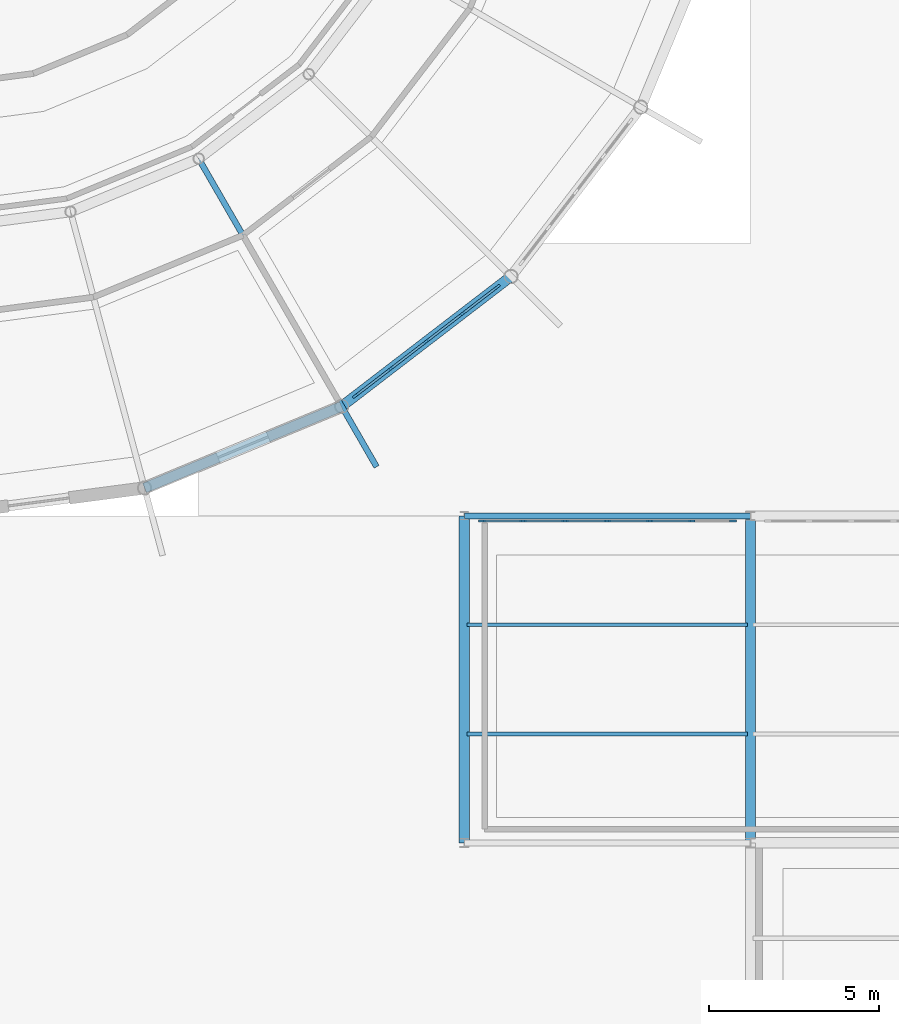
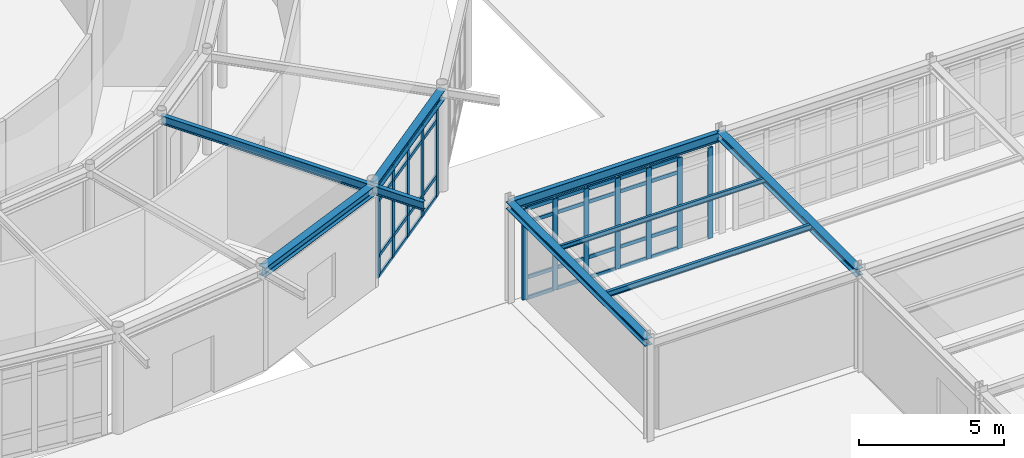
# One storey, part 33 of 101: 48 members, 8 beams, 2 elements without a shape of their own.
"""IFC4 building model written with IfcOpenShell, lengths in metres."""

from ifc_helpers import new_model, si_unit, derived_unit, direction, frame, origin, origin_2d, place, context, subcontext, project, spatial, rectangle, i_section, extrude, material, layer, layer_set, material_profile, profile_set, type_object, element, aggregate, save


model = new_model("IFC4")

# Units and contexts
model_context = context("Model", 3, precision=1e-05, world=origin(), true_north=direction((0.0, 1.0)))
body_context = subcontext(model_context, "Body", "Model", "MODEL_VIEW")
ifc_project = project(units=[si_unit("LENGTHUNIT", "METRE"), si_unit("AREAUNIT", "SQUARE_METRE"), si_unit("VOLUMEUNIT", "CUBIC_METRE"), si_unit("PLANEANGLEUNIT", "RADIAN"), si_unit("MASSUNIT", "GRAM", prefix="KILO"), derived_unit("THERMALTRANSMITTANCEUNIT", [(si_unit("POWERUNIT", "WATT"), 1), (si_unit("AREAUNIT", "SQUARE_METRE"), -1), (si_unit("THERMODYNAMICTEMPERATUREUNIT", "KELVIN"), -1)])], contexts=[model_context])

# Site, building, storey
site_placement = place(None, origin())
site = spatial("IfcSite", under=ifc_project, at=site_placement, CompositionType="ELEMENT")
building_placement = place(site_placement, origin())
building = spatial("IfcBuilding", under=site, at=building_placement, Name="Yasenodar Specialist Clinic", CompositionType="ELEMENT")
storey_placement = place(building_placement, origin())
storey = spatial("IfcBuildingStorey", under=building, at=storey_placement, Name="L00", CompositionType="ELEMENT", Elevation=0.0)

# Beams
ifc_material_1 = material(Name="Steel S355", Category="steel")
ifc_material_profile_1 = material_profile(ifc_material_1, i_section(OverallWidth=0.300048828125, OverallDepth=0.2900390625, WebThickness=0.008544921875, FlangeThickness=0.013916015625, FilletRadius=0.027099609375, at=origin_2d()), Name="HEA 300")
ifc_profile_set_1 = profile_set([ifc_material_profile_1], Name="Steel S355")
beam_type_1 = type_object("IfcBeamType", Name="BM-HEA300", PredefinedType="BEAM", material=ifc_profile_set_1)
beam_1_placement = place(storey_placement, frame((96.60009765625, 25.199951171875, 4.10498046875), z_axis=(0.0, 1.0, 0.0), x_axis=(-1.0, 0.0, 0.0)))
element("IfcBeam", 1, at=beam_1_placement, inside=storey, type_object=beam_type_1, Name="L00 Primary N-S Girder", PredefinedType="BEAM", context=body_context, shape_type="SweptSolid", body=[
    extrude(i_section(OverallWidth=0.300048828125, OverallDepth=0.2900390625, WebThickness=0.008544921875, FlangeThickness=0.013916015625, FilletRadius=0.027099609375, at=origin_2d()), origin(), (0.0, 0.0, 1.0), 9.60009765625),
])
ifc_material_profile_2 = material_profile(ifc_material_1, i_section(OverallWidth=0.300048828125, OverallDepth=0.389892578125, WebThickness=0.010986328125, FlangeThickness=0.01904296875, FilletRadius=0.027099609375, at=origin_2d()), Name="HEA 400")
ifc_profile_set_2 = profile_set([ifc_material_profile_2], Name="Steel S355")
beam_type_2 = type_object("IfcBeamType", Name="BM-HEA400", PredefinedType="BEAM", material=ifc_profile_set_2)
beam_2_placement = place(storey_placement, frame((87.211669921875, 35.617919921875, 4.054931640625), z_axis=(0.9238876519, 0.382663829839, 0.0), x_axis=(-0.382663829839, 0.9238876519, 0.0)))
element("IfcBeam", 2, at=beam_2_placement, inside=storey, type_object=beam_type_2, Name="L00 Drum V1 Perimeter Ring Beam", PredefinedType="BEAM", context=body_context, shape_type="SweptSolid", body=[
    extrude(i_section(OverallWidth=0.300048828125, OverallDepth=0.389892578125, WebThickness=0.010986328125, FlangeThickness=0.01904296875, FilletRadius=0.027099609375, at=origin_2d()), origin(), (0.0, 0.0, 1.0), 6.26513671875),
])
beam_3_placement = place(storey_placement, frame((93.0, 38.015380859375, 4.054931640625), z_axis=(0.793367971845, 0.608742360322, 0.0), x_axis=(-0.608742360322, 0.793367971845, 0.0)))
element("IfcBeam", 3, at=beam_3_placement, inside=storey, type_object=beam_type_2, Name="L00 Drum V1 Perimeter Ring Beam", PredefinedType="BEAM", context=body_context, shape_type="SweptSolid", body=[
    extrude(i_section(OverallWidth=0.300048828125, OverallDepth=0.389892578125, WebThickness=0.010986328125, FlangeThickness=0.01904296875, FilletRadius=0.027099609375, at=origin_2d()), origin(), (0.0, 0.0, 1.0), 6.265380859375),
])
ifc_material_profile_3 = material_profile(ifc_material_1, i_section(OverallWidth=0.300048828125, OverallDepth=0.300048828125, WebThickness=0.010986328125, FlangeThickness=0.01904296875, FilletRadius=0.027099609375, at=origin_2d()), Name="HEB 300")
ifc_profile_set_3 = profile_set([ifc_material_profile_3], Name="Steel S355")
beam_type_3 = type_object("IfcBeamType", Name="BM-HEB300", PredefinedType="BEAM", material=ifc_profile_set_3)
beam_4_placement = place(storey_placement, frame((105.0, 25.199951171875, 4.10009765625), z_axis=(0.0, 1.0, 0.0), x_axis=(-1.0, 0.0, 0.0)))
element("IfcBeam", 4, at=beam_4_placement, inside=storey, type_object=beam_type_3, Name="L00 Primary N-S Girder", PredefinedType="BEAM", context=body_context, shape_type="SweptSolid", body=[
    extrude(i_section(OverallWidth=0.300048828125, OverallDepth=0.300048828125, WebThickness=0.010986328125, FlangeThickness=0.01904296875, FilletRadius=0.027099609375, at=origin_2d()), origin(), (0.0, 0.0, 1.0), 9.60009765625),
])
ifc_material_profile_4 = material_profile(ifc_material_1, i_section(OverallWidth=0.169921875, OverallDepth=0.360107421875, WebThickness=0.008056640625, FlangeThickness=0.0126953125, FilletRadius=0.01806640625, at=origin_2d()), Name="IPE 360")
ifc_profile_set_4 = profile_set([ifc_material_profile_4], Name="Steel S355")
beam_type_4 = type_object("IfcBeamType", Name="BM-IPE360", PredefinedType="BEAM", material=ifc_profile_set_4)
beam_5_placement = place(storey_placement, frame((88.800048828125, 45.2900390625, 4.070068359375), z_axis=(0.499986032603, -0.866033467715, 0.0), x_axis=(0.866033467715, 0.499986032603, 0.0)))
element("IfcBeam", 5, at=beam_5_placement, inside=storey, type_object=beam_type_4, Name="L00 Drum V1 Radial Back-Spanned Cantilever Beam", PredefinedType="BEAM", context=body_context, shape_type="SweptSolid", body=[
    extrude(i_section(OverallWidth=0.169921875, OverallDepth=0.360107421875, WebThickness=0.008056640625, FlangeThickness=0.0126953125, FilletRadius=0.01806640625, at=origin_2d()), origin(), (0.0, 0.0, 1.0), 10.449951171875),
])
ifc_material_profile_5 = material_profile(ifc_material_1, i_section(OverallWidth=0.179931640625, OverallDepth=0.39990234375, WebThickness=0.008544921875, FlangeThickness=0.013427734375, FilletRadius=0.02099609375, at=origin_2d()), Name="IPE 400")
ifc_profile_set_5 = profile_set([ifc_material_profile_5], Name="Steel S355")
beam_type_5 = type_object("IfcBeamType", Name="BM-IPE400", PredefinedType="BEAM", material=ifc_profile_set_5)
beam_6_placement = place(storey_placement, frame((96.60009765625, 34.800048828125, 4.050048828125), z_axis=(1.0, 0.0, 0.0), x_axis=(0.0, 1.0, 0.0)))
element("IfcBeam", 6, at=beam_6_placement, inside=storey, type_object=beam_type_5, Name="L00 Primary E-W Girder", PredefinedType="BEAM", context=body_context, shape_type="SweptSolid", body=[
    extrude(i_section(OverallWidth=0.179931640625, OverallDepth=0.39990234375, WebThickness=0.008544921875, FlangeThickness=0.013427734375, FilletRadius=0.02099609375, at=origin_2d()), origin(), (0.0, 0.0, 1.0), 8.39990234375),
])

# Curtain wall, members
ifc_material_2 = material(Name="Bronze Anodized Aluminium and Triple Low-E Glass", Category="aluminium")
ifc_layer_1 = layer(ifc_material_2, 0.1669921875)
ifc_layer_set_1 = layer_set([ifc_layer_1], Name="Bronze Anodized Aluminium and Triple Low-E Glass")
curtain_wall_type_1 = type_object("IfcCurtainWallType", Name="CW-SYS-01", PredefinedType="USERDEFINED", material=ifc_layer_set_1)
curtain_wall_1_placement = place(storey_placement, origin())
curtain_wall_1 = element("IfcCurtainWall", 7, at=curtain_wall_1_placement, inside=storey, type_object=curtain_wall_type_1, Name="L00 Unitised Curtain Wall 011", ObjectType="UNITISED CURTAIN WALL", PredefinedType="USERDEFINED")
ifc_material_3 = material(Name="Bronze Anodized Aluminium", Category="aluminium")
ifc_material_profile_6 = material_profile(ifc_material_3, rectangle(XDim=0.070068359375, YDim=0.199951171875, at=origin_2d()), Name="CW-MULL 70x200")
ifc_profile_set_6 = profile_set([ifc_material_profile_6], Name="Bronze Anodized Aluminium")
member_type_1 = type_object("IfcMemberType", Name="CW-MULL-200", PredefinedType="MULLION", material=ifc_profile_set_6)
member_1_placement = place(storey_placement, frame((97.56201171875, 41.515869140625, 0.0), z_axis=(0.0, 0.0, 1.0), x_axis=(0.608752021844, -0.793360558574, 0.0)))
member_1 = element("IfcMember", 8, at=member_1_placement, type_object=member_type_1, Name="CW-01 mullion 1", PredefinedType="MULLION", context=body_context, shape_type="SweptSolid", body=[
    extrude(rectangle(XDim=0.070068359375, YDim=0.199951171875, at=origin_2d()), origin(), (0.0, 0.0, 1.0), 3.837890625),
])
member_2_placement = place(storey_placement, frame((96.53759765625, 40.729736328125, 0.0), z_axis=(0.0, 0.0, 1.0), x_axis=(0.608752021844, -0.793360558574, 0.0)))
member_2 = element("IfcMember", 9, at=member_2_placement, type_object=member_type_1, Name="CW-01 mullion 2", PredefinedType="MULLION", context=body_context, shape_type="SweptSolid", body=[
    extrude(rectangle(XDim=0.070068359375, YDim=0.199951171875, at=origin_2d()), origin(), (0.0, 0.0, 1.0), 3.837890625),
])
member_3_placement = place(storey_placement, frame((95.4853515625, 39.92236328125, 0.0), z_axis=(0.0, 0.0, 1.0), x_axis=(0.608752021844, -0.793360558574, 0.0)))
member_3 = element("IfcMember", 10, at=member_3_placement, type_object=member_type_1, Name="CW-01 mullion 3", PredefinedType="MULLION", context=body_context, shape_type="SweptSolid", body=[
    extrude(rectangle(XDim=0.070068359375, YDim=0.199951171875, at=origin_2d()), origin(), (0.0, 0.0, 1.0), 3.837890625),
])
member_4_placement = place(storey_placement, frame((94.43310546875, 39.114990234375, 0.0), z_axis=(0.0, 0.0, 1.0), x_axis=(0.608752021844, -0.793360558574, 0.0)))
member_4 = element("IfcMember", 11, at=member_4_placement, type_object=member_type_1, Name="CW-01 mullion 4", PredefinedType="MULLION", context=body_context, shape_type="SweptSolid", body=[
    extrude(rectangle(XDim=0.070068359375, YDim=0.199951171875, at=origin_2d()), origin(), (0.0, 0.0, 1.0), 3.837890625),
])
member_5_placement = place(storey_placement, frame((93.408447265625, 38.328857421875, 0.0), z_axis=(0.0, 0.0, 1.0), x_axis=(0.608752021844, -0.793360558574, 0.0)))
member_5 = element("IfcMember", 12, at=member_5_placement, type_object=member_type_1, Name="CW-01 mullion 5", PredefinedType="MULLION", context=body_context, shape_type="SweptSolid", body=[
    extrude(rectangle(XDim=0.070068359375, YDim=0.199951171875, at=origin_2d()), origin(), (0.0, 0.0, 1.0), 3.837890625),
])

ifc_layer_2 = layer(ifc_material_2, 0.178955078125)
ifc_layer_set_2 = layer_set([ifc_layer_2], Name="Bronze Anodized Aluminium and Triple Low-E Glass")
curtain_wall_type_2 = type_object("IfcCurtainWallType", Name="CW-SYS-02", PredefinedType="USERDEFINED", material=ifc_layer_set_2)
curtain_wall_2_placement = place(storey_placement, origin())
curtain_wall_2 = element("IfcCurtainWall", 13, at=curtain_wall_2_placement, inside=storey, type_object=curtain_wall_type_2, Name="L00 Unitised Curtain Wall 081", ObjectType="UNITISED CURTAIN WALL", PredefinedType="USERDEFINED")
member_6_placement = place(storey_placement, frame((97.114990234375, 34.64990234375, 0.0), z_axis=(0.0, 0.0, 1.0), x_axis=(0.0, 1.0, 0.0)))
member_6 = element("IfcMember", 14, at=member_6_placement, type_object=member_type_1, Name="CW-02 mullion 1", PredefinedType="MULLION", context=body_context, shape_type="SweptSolid", body=[
    extrude(rectangle(XDim=0.070068359375, YDim=0.199951171875, at=origin_2d()), origin(), (0.0, 0.0, 1.0), 3.827880859375),
])
member_7_placement = place(storey_placement, frame((98.320068359375, 34.64990234375, 0.0), z_axis=(0.0, 0.0, 1.0), x_axis=(0.0, 1.0, 0.0)))
member_7 = element("IfcMember", 15, at=member_7_placement, type_object=member_type_1, Name="CW-02 mullion 2", PredefinedType="MULLION", context=body_context, shape_type="SweptSolid", body=[
    extrude(rectangle(XDim=0.070068359375, YDim=0.199951171875, at=origin_2d()), origin(), (0.0, 0.0, 1.0), 3.827880859375),
])
member_8_placement = place(storey_placement, frame((99.56005859375, 34.64990234375, 0.0), z_axis=(0.0, 0.0, 1.0), x_axis=(0.0, 1.0, 0.0)))
member_8 = element("IfcMember", 16, at=member_8_placement, type_object=member_type_1, Name="CW-02 mullion 3", PredefinedType="MULLION", context=body_context, shape_type="SweptSolid", body=[
    extrude(rectangle(XDim=0.070068359375, YDim=0.199951171875, at=origin_2d()), origin(), (0.0, 0.0, 1.0), 3.827880859375),
])
member_9_placement = place(storey_placement, frame((100.800048828125, 34.64990234375, 0.0), z_axis=(0.0, 0.0, 1.0), x_axis=(0.0, 1.0, 0.0)))
member_9 = element("IfcMember", 17, at=member_9_placement, type_object=member_type_1, Name="CW-02 mullion 4", PredefinedType="MULLION", context=body_context, shape_type="SweptSolid", body=[
    extrude(rectangle(XDim=0.070068359375, YDim=0.199951171875, at=origin_2d()), origin(), (0.0, 0.0, 1.0), 3.827880859375),
])
member_10_placement = place(storey_placement, frame((102.0400390625, 34.64990234375, 0.0), z_axis=(0.0, 0.0, 1.0), x_axis=(0.0, 1.0, 0.0)))
member_10 = element("IfcMember", 18, at=member_10_placement, type_object=member_type_1, Name="CW-02 mullion 5", PredefinedType="MULLION", context=body_context, shape_type="SweptSolid", body=[
    extrude(rectangle(XDim=0.070068359375, YDim=0.199951171875, at=origin_2d()), origin(), (0.0, 0.0, 1.0), 3.827880859375),
])
member_11_placement = place(storey_placement, frame((103.280029296875, 34.64990234375, 0.0), z_axis=(0.0, 0.0, 1.0), x_axis=(0.0, 1.0, 0.0)))
member_11 = element("IfcMember", 19, at=member_11_placement, type_object=member_type_1, Name="CW-02 mullion 6", PredefinedType="MULLION", context=body_context, shape_type="SweptSolid", body=[
    extrude(rectangle(XDim=0.070068359375, YDim=0.199951171875, at=origin_2d()), origin(), (0.0, 0.0, 1.0), 3.827880859375),
])
member_12_placement = place(storey_placement, frame((104.485107421875, 34.64990234375, 0.0), z_axis=(0.0, 0.0, 1.0), x_axis=(0.0, 1.0, 0.0)))
member_12 = element("IfcMember", 20, at=member_12_placement, type_object=member_type_1, Name="CW-02 mullion 7", PredefinedType="MULLION", context=body_context, shape_type="SweptSolid", body=[
    extrude(rectangle(XDim=0.070068359375, YDim=0.199951171875, at=origin_2d()), origin(), (0.0, 0.0, 1.0), 3.827880859375),
])

# Member
ifc_material_profile_7 = material_profile(ifc_material_3, rectangle(XDim=0.070068359375, YDim=0.14990234375, at=origin_2d()), Name="CW-TRAN 70x150")
ifc_profile_set_7 = profile_set([ifc_material_profile_7], Name="Bronze Anodized Aluminium")
member_type_2 = type_object("IfcMemberType", Name="CW-TRAN-150", PredefinedType="USERDEFINED", material=ifc_profile_set_7)
member_13_placement = place(storey_placement, frame((97.5341796875, 41.49462890625, 0.034912109375), z_axis=(-0.793329536598, -0.60879244933, 0.0), x_axis=(0.60879244933, -0.793329536598, 0.0)))
member_13 = element("IfcMember", 21, at=member_13_placement, type_object=member_type_2, Name="CW-01 transom 1.1", ObjectType="TRANSOM", PredefinedType="USERDEFINED", context=body_context, shape_type="SweptSolid", body=[
    extrude(rectangle(XDim=0.070068359375, YDim=0.14990234375, at=origin_2d()), origin(), (0.0, 0.0, 1.0), 1.22119140625),
])

member_14_placement = place(storey_placement, frame((97.5341796875, 41.49462890625, 0.89990234375), z_axis=(-0.793329536598, -0.60879244933, 0.0), x_axis=(0.60879244933, -0.793329536598, 0.0)))
member_14 = element("IfcMember", 22, at=member_14_placement, type_object=member_type_2, Name="CW-01 transom 1.2", ObjectType="TRANSOM", PredefinedType="USERDEFINED", context=body_context, shape_type="SweptSolid", body=[
    extrude(rectangle(XDim=0.070068359375, YDim=0.14990234375, at=origin_2d()), origin(), (0.0, 0.0, 1.0), 1.22119140625),
])

member_15_placement = place(storey_placement, frame((97.5341796875, 41.49462890625, 3.238037109375), z_axis=(-0.793329536598, -0.60879244933, 0.0), x_axis=(0.60879244933, -0.793329536598, 0.0)))
member_15 = element("IfcMember", 23, at=member_15_placement, type_object=member_type_2, Name="CW-01 transom 1.3", ObjectType="TRANSOM", PredefinedType="USERDEFINED", context=body_context, shape_type="SweptSolid", body=[
    extrude(rectangle(XDim=0.070068359375, YDim=0.14990234375, at=origin_2d()), origin(), (0.0, 0.0, 1.0), 1.22119140625),
])

member_16_placement = place(storey_placement, frame((97.5341796875, 41.49462890625, 3.802978515625), z_axis=(-0.793329536598, -0.60879244933, 0.0), x_axis=(0.60879244933, -0.793329536598, 0.0)))
member_16 = element("IfcMember", 24, at=member_16_placement, type_object=member_type_2, Name="CW-01 transom 1.4", ObjectType="TRANSOM", PredefinedType="USERDEFINED", context=body_context, shape_type="SweptSolid", body=[
    extrude(rectangle(XDim=0.070068359375, YDim=0.14990234375, at=origin_2d()), origin(), (0.0, 0.0, 1.0), 1.22119140625),
])

member_17_placement = place(storey_placement, frame((96.509765625, 40.70849609375, 0.034912109375), z_axis=(-0.793280948683, -0.608855759976, 0.0), x_axis=(0.608855759976, -0.793280948683, 0.0)))
member_17 = element("IfcMember", 25, at=member_17_placement, type_object=member_type_2, Name="CW-01 transom 2.1", ObjectType="TRANSOM", PredefinedType="USERDEFINED", context=body_context, shape_type="SweptSolid", body=[
    extrude(rectangle(XDim=0.070068359375, YDim=0.14990234375, at=origin_2d()), origin(), (0.0, 0.0, 1.0), 1.25634765625),
])

member_18_placement = place(storey_placement, frame((96.509765625, 40.70849609375, 0.89990234375), z_axis=(-0.793280948683, -0.608855759976, 0.0), x_axis=(0.608855759976, -0.793280948683, 0.0)))
member_18 = element("IfcMember", 26, at=member_18_placement, type_object=member_type_2, Name="CW-01 transom 2.2", ObjectType="TRANSOM", PredefinedType="USERDEFINED", context=body_context, shape_type="SweptSolid", body=[
    extrude(rectangle(XDim=0.070068359375, YDim=0.14990234375, at=origin_2d()), origin(), (0.0, 0.0, 1.0), 1.25634765625),
])

member_19_placement = place(storey_placement, frame((96.509765625, 40.70849609375, 3.238037109375), z_axis=(-0.793280948683, -0.608855759976, 0.0), x_axis=(0.608855759976, -0.793280948683, 0.0)))
member_19 = element("IfcMember", 27, at=member_19_placement, type_object=member_type_2, Name="CW-01 transom 2.3", ObjectType="TRANSOM", PredefinedType="USERDEFINED", context=body_context, shape_type="SweptSolid", body=[
    extrude(rectangle(XDim=0.070068359375, YDim=0.14990234375, at=origin_2d()), origin(), (0.0, 0.0, 1.0), 1.25634765625),
])

member_20_placement = place(storey_placement, frame((96.509765625, 40.70849609375, 3.802978515625), z_axis=(-0.793280948683, -0.608855759976, 0.0), x_axis=(0.608855759976, -0.793280948683, 0.0)))
member_20 = element("IfcMember", 28, at=member_20_placement, type_object=member_type_2, Name="CW-01 transom 2.4", ObjectType="TRANSOM", PredefinedType="USERDEFINED", context=body_context, shape_type="SweptSolid", body=[
    extrude(rectangle(XDim=0.070068359375, YDim=0.14990234375, at=origin_2d()), origin(), (0.0, 0.0, 1.0), 1.25634765625),
])

member_21_placement = place(storey_placement, frame((95.45751953125, 39.901123046875, 0.034912109375), z_axis=(-0.793280948683, -0.608855759976, 0.0), x_axis=(0.608855759976, -0.793280948683, 0.0)))
member_21 = element("IfcMember", 29, at=member_21_placement, type_object=member_type_2, Name="CW-01 transom 3.1", ObjectType="TRANSOM", PredefinedType="USERDEFINED", context=body_context, shape_type="SweptSolid", body=[
    extrude(rectangle(XDim=0.070068359375, YDim=0.14990234375, at=origin_2d()), origin(), (0.0, 0.0, 1.0), 1.25634765625),
])

member_22_placement = place(storey_placement, frame((95.45751953125, 39.901123046875, 0.89990234375), z_axis=(-0.793280948683, -0.608855759976, 0.0), x_axis=(0.608855759976, -0.793280948683, 0.0)))
member_22 = element("IfcMember", 30, at=member_22_placement, type_object=member_type_2, Name="CW-01 transom 3.2", ObjectType="TRANSOM", PredefinedType="USERDEFINED", context=body_context, shape_type="SweptSolid", body=[
    extrude(rectangle(XDim=0.070068359375, YDim=0.14990234375, at=origin_2d()), origin(), (0.0, 0.0, 1.0), 1.25634765625),
])

member_23_placement = place(storey_placement, frame((95.45751953125, 39.901123046875, 3.238037109375), z_axis=(-0.793280948683, -0.608855759976, 0.0), x_axis=(0.608855759976, -0.793280948683, 0.0)))
member_23 = element("IfcMember", 31, at=member_23_placement, type_object=member_type_2, Name="CW-01 transom 3.3", ObjectType="TRANSOM", PredefinedType="USERDEFINED", context=body_context, shape_type="SweptSolid", body=[
    extrude(rectangle(XDim=0.070068359375, YDim=0.14990234375, at=origin_2d()), origin(), (0.0, 0.0, 1.0), 1.25634765625),
])

member_24_placement = place(storey_placement, frame((95.45751953125, 39.901123046875, 3.802978515625), z_axis=(-0.793280948683, -0.608855759976, 0.0), x_axis=(0.608855759976, -0.793280948683, 0.0)))
member_24 = element("IfcMember", 32, at=member_24_placement, type_object=member_type_2, Name="CW-01 transom 3.4", ObjectType="TRANSOM", PredefinedType="USERDEFINED", context=body_context, shape_type="SweptSolid", body=[
    extrude(rectangle(XDim=0.070068359375, YDim=0.14990234375, at=origin_2d()), origin(), (0.0, 0.0, 1.0), 1.25634765625),
])

member_25_placement = place(storey_placement, frame((94.4052734375, 39.09375, 0.034912109375), z_axis=(-0.793307081054, -0.608821710479, 0.0), x_axis=(0.608821710479, -0.793307081054, 0.0)))
member_25 = element("IfcMember", 33, at=member_25_placement, type_object=member_type_2, Name="CW-01 transom 4.1", ObjectType="TRANSOM", PredefinedType="USERDEFINED", context=body_context, shape_type="SweptSolid", body=[
    extrude(rectangle(XDim=0.070068359375, YDim=0.14990234375, at=origin_2d()), origin(), (0.0, 0.0, 1.0), 1.221435546875),
])

member_26_placement = place(storey_placement, frame((94.4052734375, 39.09375, 0.89990234375), z_axis=(-0.793307081054, -0.608821710479, 0.0), x_axis=(0.608821710479, -0.793307081054, 0.0)))
member_26 = element("IfcMember", 34, at=member_26_placement, type_object=member_type_2, Name="CW-01 transom 4.2", ObjectType="TRANSOM", PredefinedType="USERDEFINED", context=body_context, shape_type="SweptSolid", body=[
    extrude(rectangle(XDim=0.070068359375, YDim=0.14990234375, at=origin_2d()), origin(), (0.0, 0.0, 1.0), 1.221435546875),
])

member_27_placement = place(storey_placement, frame((94.4052734375, 39.09375, 3.238037109375), z_axis=(-0.793307081054, -0.608821710479, 0.0), x_axis=(0.608821710479, -0.793307081054, 0.0)))
member_27 = element("IfcMember", 35, at=member_27_placement, type_object=member_type_2, Name="CW-01 transom 4.3", ObjectType="TRANSOM", PredefinedType="USERDEFINED", context=body_context, shape_type="SweptSolid", body=[
    extrude(rectangle(XDim=0.070068359375, YDim=0.14990234375, at=origin_2d()), origin(), (0.0, 0.0, 1.0), 1.221435546875),
])

member_28_placement = place(storey_placement, frame((94.4052734375, 39.09375, 3.802978515625), z_axis=(-0.793307081054, -0.608821710479, 0.0), x_axis=(0.608821710479, -0.793307081054, 0.0)))
member_28 = element("IfcMember", 36, at=member_28_placement, type_object=member_type_2, Name="CW-01 transom 4.4", ObjectType="TRANSOM", PredefinedType="USERDEFINED", context=body_context, shape_type="SweptSolid", body=[
    extrude(rectangle(XDim=0.070068359375, YDim=0.14990234375, at=origin_2d()), origin(), (0.0, 0.0, 1.0), 1.221435546875),
])

aggregate(curtain_wall_1, [member_1, member_2, member_3, member_4, member_5, member_13, member_14, member_15, member_16, member_17, member_18, member_19, member_20, member_21, member_22, member_23, member_24, member_25, member_26, member_27, member_28])

member_29_placement = place(storey_placement, frame((97.14990234375, 34.64990234375, 0.034912109375), z_axis=(1.0, 0.0, 0.0), x_axis=(0.0, 1.0, 0.0)))
member_29 = element("IfcMember", 37, at=member_29_placement, type_object=member_type_2, Name="CW-02 transom 1.1", ObjectType="TRANSOM", PredefinedType="USERDEFINED", context=body_context, shape_type="SweptSolid", body=[
    extrude(rectangle(XDim=0.070068359375, YDim=0.14990234375, at=origin_2d()), origin(), (0.0, 0.0, 1.0), 1.135009765625),
])

member_30_placement = place(storey_placement, frame((97.14990234375, 34.64990234375, 0.89990234375), z_axis=(1.0, 0.0, 0.0), x_axis=(0.0, 1.0, 0.0)))
member_30 = element("IfcMember", 38, at=member_30_placement, type_object=member_type_2, Name="CW-02 transom 1.2", ObjectType="TRANSOM", PredefinedType="USERDEFINED", context=body_context, shape_type="SweptSolid", body=[
    extrude(rectangle(XDim=0.070068359375, YDim=0.14990234375, at=origin_2d()), origin(), (0.0, 0.0, 1.0), 1.135009765625),
])

member_31_placement = place(storey_placement, frame((97.14990234375, 34.64990234375, 3.22802734375), z_axis=(1.0, 0.0, 0.0), x_axis=(0.0, 1.0, 0.0)))
member_31 = element("IfcMember", 39, at=member_31_placement, type_object=member_type_2, Name="CW-02 transom 1.3", ObjectType="TRANSOM", PredefinedType="USERDEFINED", context=body_context, shape_type="SweptSolid", body=[
    extrude(rectangle(XDim=0.070068359375, YDim=0.14990234375, at=origin_2d()), origin(), (0.0, 0.0, 1.0), 1.135009765625),
])

member_32_placement = place(storey_placement, frame((97.14990234375, 34.64990234375, 3.79296875), z_axis=(1.0, 0.0, 0.0), x_axis=(0.0, 1.0, 0.0)))
member_32 = element("IfcMember", 40, at=member_32_placement, type_object=member_type_2, Name="CW-02 transom 1.4", ObjectType="TRANSOM", PredefinedType="USERDEFINED", context=body_context, shape_type="SweptSolid", body=[
    extrude(rectangle(XDim=0.070068359375, YDim=0.14990234375, at=origin_2d()), origin(), (0.0, 0.0, 1.0), 1.135009765625),
])

member_33_placement = place(storey_placement, frame((98.35498046875, 34.64990234375, 0.034912109375), z_axis=(1.0, 0.0, 0.0), x_axis=(0.0, 1.0, 0.0)))
member_33 = element("IfcMember", 41, at=member_33_placement, type_object=member_type_2, Name="CW-02 transom 2.1", ObjectType="TRANSOM", PredefinedType="USERDEFINED", context=body_context, shape_type="SweptSolid", body=[
    extrude(rectangle(XDim=0.070068359375, YDim=0.14990234375, at=origin_2d()), origin(), (0.0, 0.0, 1.0), 1.169921875),
])

member_34_placement = place(storey_placement, frame((98.35498046875, 34.64990234375, 0.89990234375), z_axis=(1.0, 0.0, 0.0), x_axis=(0.0, 1.0, 0.0)))
member_34 = element("IfcMember", 42, at=member_34_placement, type_object=member_type_2, Name="CW-02 transom 2.2", ObjectType="TRANSOM", PredefinedType="USERDEFINED", context=body_context, shape_type="SweptSolid", body=[
    extrude(rectangle(XDim=0.070068359375, YDim=0.14990234375, at=origin_2d()), origin(), (0.0, 0.0, 1.0), 1.169921875),
])

member_35_placement = place(storey_placement, frame((98.35498046875, 34.64990234375, 3.22802734375), z_axis=(1.0, 0.0, 0.0), x_axis=(0.0, 1.0, 0.0)))
member_35 = element("IfcMember", 43, at=member_35_placement, type_object=member_type_2, Name="CW-02 transom 2.3", ObjectType="TRANSOM", PredefinedType="USERDEFINED", context=body_context, shape_type="SweptSolid", body=[
    extrude(rectangle(XDim=0.070068359375, YDim=0.14990234375, at=origin_2d()), origin(), (0.0, 0.0, 1.0), 1.169921875),
])

member_36_placement = place(storey_placement, frame((98.35498046875, 34.64990234375, 3.79296875), z_axis=(1.0, 0.0, 0.0), x_axis=(0.0, 1.0, 0.0)))
member_36 = element("IfcMember", 44, at=member_36_placement, type_object=member_type_2, Name="CW-02 transom 2.4", ObjectType="TRANSOM", PredefinedType="USERDEFINED", context=body_context, shape_type="SweptSolid", body=[
    extrude(rectangle(XDim=0.070068359375, YDim=0.14990234375, at=origin_2d()), origin(), (0.0, 0.0, 1.0), 1.169921875),
])

member_37_placement = place(storey_placement, frame((99.594970703125, 34.64990234375, 0.034912109375), z_axis=(1.0, 0.0, 0.0), x_axis=(0.0, 1.0, 0.0)))
member_37 = element("IfcMember", 45, at=member_37_placement, type_object=member_type_2, Name="CW-02 transom 3.1", ObjectType="TRANSOM", PredefinedType="USERDEFINED", context=body_context, shape_type="SweptSolid", body=[
    extrude(rectangle(XDim=0.070068359375, YDim=0.14990234375, at=origin_2d()), origin(), (0.0, 0.0, 1.0), 1.169921875),
])

member_38_placement = place(storey_placement, frame((99.594970703125, 34.64990234375, 0.89990234375), z_axis=(1.0, 0.0, 0.0), x_axis=(0.0, 1.0, 0.0)))
member_38 = element("IfcMember", 46, at=member_38_placement, type_object=member_type_2, Name="CW-02 transom 3.2", ObjectType="TRANSOM", PredefinedType="USERDEFINED", context=body_context, shape_type="SweptSolid", body=[
    extrude(rectangle(XDim=0.070068359375, YDim=0.14990234375, at=origin_2d()), origin(), (0.0, 0.0, 1.0), 1.169921875),
])

member_39_placement = place(storey_placement, frame((99.594970703125, 34.64990234375, 3.22802734375), z_axis=(1.0, 0.0, 0.0), x_axis=(0.0, 1.0, 0.0)))
member_39 = element("IfcMember", 47, at=member_39_placement, type_object=member_type_2, Name="CW-02 transom 3.3", ObjectType="TRANSOM", PredefinedType="USERDEFINED", context=body_context, shape_type="SweptSolid", body=[
    extrude(rectangle(XDim=0.070068359375, YDim=0.14990234375, at=origin_2d()), origin(), (0.0, 0.0, 1.0), 1.169921875),
])

member_40_placement = place(storey_placement, frame((99.594970703125, 34.64990234375, 3.79296875), z_axis=(1.0, 0.0, 0.0), x_axis=(0.0, 1.0, 0.0)))
member_40 = element("IfcMember", 48, at=member_40_placement, type_object=member_type_2, Name="CW-02 transom 3.4", ObjectType="TRANSOM", PredefinedType="USERDEFINED", context=body_context, shape_type="SweptSolid", body=[
    extrude(rectangle(XDim=0.070068359375, YDim=0.14990234375, at=origin_2d()), origin(), (0.0, 0.0, 1.0), 1.169921875),
])

member_41_placement = place(storey_placement, frame((100.8349609375, 34.64990234375, 0.034912109375), z_axis=(1.0, 0.0, 0.0), x_axis=(0.0, 1.0, 0.0)))
member_41 = element("IfcMember", 49, at=member_41_placement, type_object=member_type_2, Name="CW-02 transom 4.1", ObjectType="TRANSOM", PredefinedType="USERDEFINED", context=body_context, shape_type="SweptSolid", body=[
    extrude(rectangle(XDim=0.070068359375, YDim=0.14990234375, at=origin_2d()), origin(), (0.0, 0.0, 1.0), 1.169921875),
])

member_42_placement = place(storey_placement, frame((100.8349609375, 34.64990234375, 0.89990234375), z_axis=(1.0, 0.0, 0.0), x_axis=(0.0, 1.0, 0.0)))
member_42 = element("IfcMember", 50, at=member_42_placement, type_object=member_type_2, Name="CW-02 transom 4.2", ObjectType="TRANSOM", PredefinedType="USERDEFINED", context=body_context, shape_type="SweptSolid", body=[
    extrude(rectangle(XDim=0.070068359375, YDim=0.14990234375, at=origin_2d()), origin(), (0.0, 0.0, 1.0), 1.169921875),
])

member_43_placement = place(storey_placement, frame((100.8349609375, 34.64990234375, 3.22802734375), z_axis=(1.0, 0.0, 0.0), x_axis=(0.0, 1.0, 0.0)))
member_43 = element("IfcMember", 51, at=member_43_placement, type_object=member_type_2, Name="CW-02 transom 4.3", ObjectType="TRANSOM", PredefinedType="USERDEFINED", context=body_context, shape_type="SweptSolid", body=[
    extrude(rectangle(XDim=0.070068359375, YDim=0.14990234375, at=origin_2d()), origin(), (0.0, 0.0, 1.0), 1.169921875),
])

member_44_placement = place(storey_placement, frame((100.8349609375, 34.64990234375, 3.79296875), z_axis=(1.0, 0.0, 0.0), x_axis=(0.0, 1.0, 0.0)))
member_44 = element("IfcMember", 52, at=member_44_placement, type_object=member_type_2, Name="CW-02 transom 4.4", ObjectType="TRANSOM", PredefinedType="USERDEFINED", context=body_context, shape_type="SweptSolid", body=[
    extrude(rectangle(XDim=0.070068359375, YDim=0.14990234375, at=origin_2d()), origin(), (0.0, 0.0, 1.0), 1.169921875),
])

member_45_placement = place(storey_placement, frame((102.074951171875, 34.64990234375, 0.034912109375), z_axis=(1.0, 0.0, 0.0), x_axis=(0.0, 1.0, 0.0)))
member_45 = element("IfcMember", 53, at=member_45_placement, type_object=member_type_2, Name="CW-02 transom 5.1", ObjectType="TRANSOM", PredefinedType="USERDEFINED", context=body_context, shape_type="SweptSolid", body=[
    extrude(rectangle(XDim=0.070068359375, YDim=0.14990234375, at=origin_2d()), origin(), (0.0, 0.0, 1.0), 1.170166015625),
])

member_46_placement = place(storey_placement, frame((102.074951171875, 34.64990234375, 0.89990234375), z_axis=(1.0, 0.0, 0.0), x_axis=(0.0, 1.0, 0.0)))
member_46 = element("IfcMember", 54, at=member_46_placement, type_object=member_type_2, Name="CW-02 transom 5.2", ObjectType="TRANSOM", PredefinedType="USERDEFINED", context=body_context, shape_type="SweptSolid", body=[
    extrude(rectangle(XDim=0.070068359375, YDim=0.14990234375, at=origin_2d()), origin(), (0.0, 0.0, 1.0), 1.170166015625),
])

member_47_placement = place(storey_placement, frame((102.074951171875, 34.64990234375, 3.22802734375), z_axis=(1.0, 0.0, 0.0), x_axis=(0.0, 1.0, 0.0)))
member_47 = element("IfcMember", 55, at=member_47_placement, type_object=member_type_2, Name="CW-02 transom 5.3", ObjectType="TRANSOM", PredefinedType="USERDEFINED", context=body_context, shape_type="SweptSolid", body=[
    extrude(rectangle(XDim=0.070068359375, YDim=0.14990234375, at=origin_2d()), origin(), (0.0, 0.0, 1.0), 1.170166015625),
])

member_48_placement = place(storey_placement, frame((102.074951171875, 34.64990234375, 3.79296875), z_axis=(1.0, 0.0, 0.0), x_axis=(0.0, 1.0, 0.0)))
member_48 = element("IfcMember", 56, at=member_48_placement, type_object=member_type_2, Name="CW-02 transom 5.4", ObjectType="TRANSOM", PredefinedType="USERDEFINED", context=body_context, shape_type="SweptSolid", body=[
    extrude(rectangle(XDim=0.070068359375, YDim=0.14990234375, at=origin_2d()), origin(), (0.0, 0.0, 1.0), 1.170166015625),
])

aggregate(curtain_wall_2, [member_6, member_7, member_8, member_9, member_10, member_11, member_12, member_29, member_30, member_31, member_32, member_33, member_34, member_35, member_36, member_37, member_38, member_39, member_40, member_41, member_42, member_43, member_44, member_45, member_46, member_47, member_48])

# Beams
ifc_material_profile_8 = material_profile(ifc_material_1, i_section(OverallWidth=0.10009765625, OverallDepth=0.199951171875, WebThickness=0.005615234375, FlangeThickness=0.008544921875, FilletRadius=0.011962890625, at=origin_2d()), Name="IPE 200")
ifc_profile_set_8 = profile_set([ifc_material_profile_8], Name="Steel S355")
beam_type_6 = type_object("IfcBeamType", Name="JS-IPE200", PredefinedType="JOIST", material=ifc_profile_set_8)
beam_7_placement = place(storey_placement, frame((96.679931640625, 31.60009765625, 4.14990234375), z_axis=(1.0, 0.0, 0.0), x_axis=(0.0, 1.0, 0.0)))
element("IfcBeam", 57, at=beam_7_placement, inside=storey, type_object=beam_type_6, Name="L00 Composite Floor Joist", PredefinedType="JOIST", context=body_context, shape_type="SweptSolid", body=[
    extrude(i_section(OverallWidth=0.10009765625, OverallDepth=0.199951171875, WebThickness=0.005615234375, FlangeThickness=0.008544921875, FilletRadius=0.011962890625, at=origin_2d()), origin(), (0.0, 0.0, 1.0), 8.239990234375),
])
ifc_material_profile_9 = material_profile(ifc_material_1, i_section(OverallWidth=0.1201171875, OverallDepth=0.239990234375, WebThickness=0.006103515625, FlangeThickness=0.009765625, FilletRadius=0.014892578125, at=origin_2d()), Name="IPE 240")
ifc_profile_set_9 = profile_set([ifc_material_profile_9], Name="Steel S355")
beam_type_7 = type_object("IfcBeamType", Name="JS-IPE240", PredefinedType="JOIST", material=ifc_profile_set_9)
beam_8_placement = place(storey_placement, frame((96.679931640625, 28.39990234375, 4.1298828125), z_axis=(1.0, 0.0, 0.0), x_axis=(0.0, 1.0, 0.0)))
element("IfcBeam", 58, at=beam_8_placement, inside=storey, type_object=beam_type_7, Name="L00 Composite Floor Joist", PredefinedType="JOIST", context=body_context, shape_type="SweptSolid", body=[
    extrude(i_section(OverallWidth=0.1201171875, OverallDepth=0.239990234375, WebThickness=0.006103515625, FlangeThickness=0.009765625, FilletRadius=0.014892578125, at=origin_2d()), origin(), (0.0, 0.0, 1.0), 8.239990234375),
])

save(model, "model.ifc")
